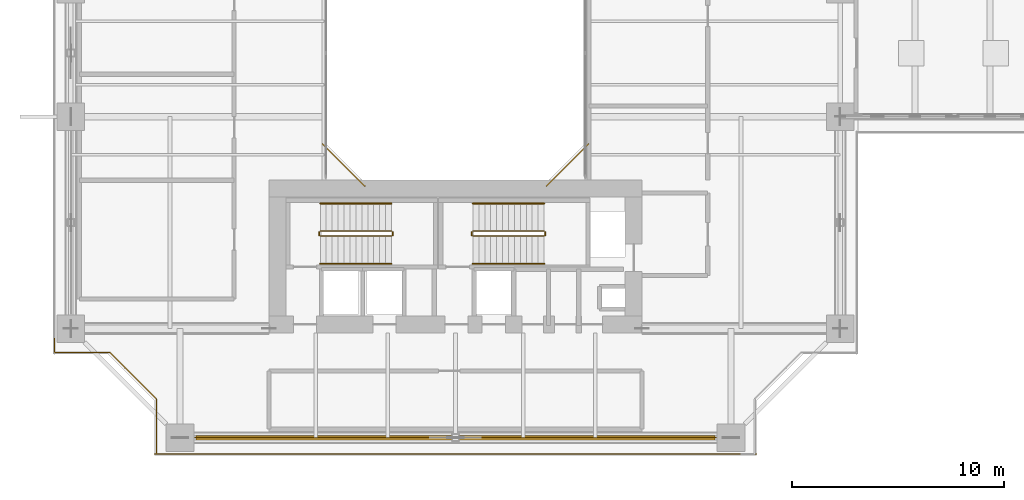
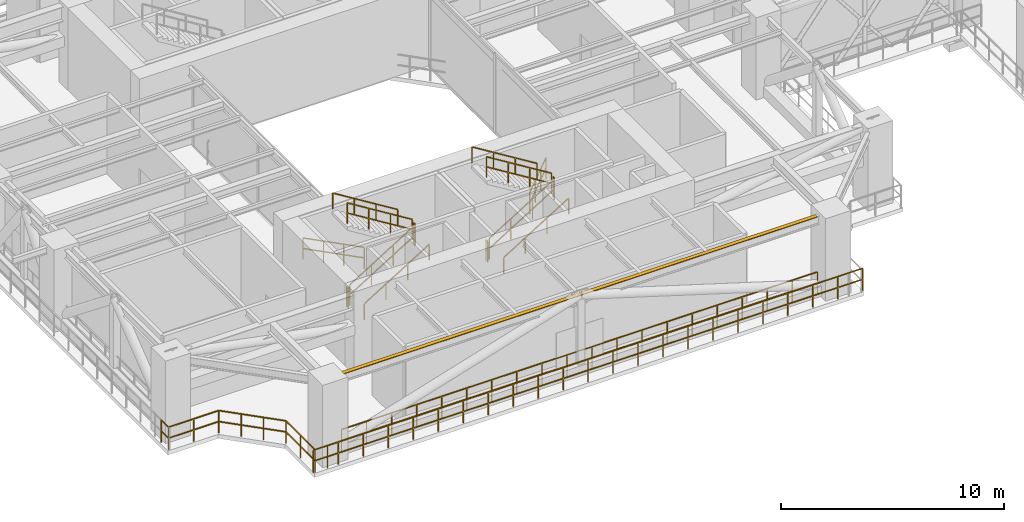
# One storey, part 21 of 26: 17 railings, 1 shading device.
"""IFC4 building model written with IfcOpenShell, lengths in metres."""

from ifc_helpers import new_model, si_unit, direction, frame, origin, origin_2d, place, context, subcontext, project, spatial, rectangle, extrude, source, transform, mapped, material, material_profile, profile_set, type_object, element, save


model = new_model("IFC4")

# Units and contexts
model_context = context("Model", 3, precision=1e-05, world=origin(), true_north=direction((0.0, 1.0)))
body_context = subcontext(model_context, "Body", "Model", "MODEL_VIEW")
ifc_project = project(units=[si_unit("LENGTHUNIT", "METRE"), si_unit("AREAUNIT", "SQUARE_METRE"), si_unit("VOLUMEUNIT", "CUBIC_METRE"), si_unit("PLANEANGLEUNIT", "RADIAN"), si_unit("MASSUNIT", "GRAM", prefix="KILO"), si_unit("THERMODYNAMICTEMPERATUREUNIT", "KELVIN"), si_unit("POWERUNIT", "WATT")], contexts=[model_context])

# Site, building, storey
site_placement = place(None, origin())
site = spatial("IfcSite", under=ifc_project, at=site_placement, CompositionType="ELEMENT")
building_placement = place(site_placement, origin())
building = spatial("IfcBuilding", under=site, at=building_placement, Name="Qiaomeng Ring Towers", CompositionType="ELEMENT")
storey_placement = place(building_placement, frame((0.0, 0.0, 45.75)))
storey = spatial("IfcBuildingStorey", under=building, at=storey_placement, Name="L12", CompositionType="ELEMENT", Elevation=45.75)

# Railings
ifc_material_1 = material(Name="Low-E pale-green laminated safety glass", Category="glass")
railing_type_1 = type_object("IfcRailingType", Name="ARC-RL-BAL1", PredefinedType="BALUSTRADE", material=ifc_material_1)
railing_1_placement = place(storey_placement, frame((23.280029296875, 16.719970703125, 0.0)))
element("IfcRailing", 1, at=railing_1_placement, inside=storey, type_object=railing_type_1, Name="L12 Balustrade ARC-BAL-WELL1-L12-1", PredefinedType="BALUSTRADE", context=body_context, shape_type="SweptSolid", body=[
    extrude(rectangle(XDim=0.048095703125, YDim=0.048095703125, at=origin_2d()), frame((0.0, 0.0, 1.17578125), z_axis=(0.707106781187, 0.707106781187, 0.0), x_axis=(-0.707106781187, 0.707106781187, 0.0)), (0.0, 0.0, 1.0), 2.828369140625),
    extrude(rectangle(XDim=0.048095703125, YDim=0.048095703125, at=origin_2d()), frame((0.0, 0.0, 0.60009765625), z_axis=(0.707106781187, 0.707106781187, 0.0), x_axis=(-0.707106781187, 0.707106781187, 0.0)), (0.0, 0.0, 1.0), 2.828369140625),
    extrude(rectangle(XDim=0.0419921875, YDim=0.0419921875, at=origin_2d()), origin(), (0.0, 0.0, 1.0), 1.15185546875),
    extrude(rectangle(XDim=0.0419921875, YDim=0.0419921875, at=origin_2d()), frame((0.666748046875, 0.666748046875, 0.0)), (0.0, 0.0, 1.0), 1.15185546875),
    extrude(rectangle(XDim=0.0419921875, YDim=0.0419921875, at=origin_2d()), frame((1.333251953125, 1.333251953125, 0.0)), (0.0, 0.0, 1.0), 1.15185546875),
    extrude(rectangle(XDim=0.0419921875, YDim=0.0419921875, at=origin_2d()), frame((2.0, 2.0, 0.0)), (0.0, 0.0, 1.0), 1.15185546875),
])
railing_2_placement = place(storey_placement, frame((12.719970703125, 18.719970703125, 0.0)))
element("IfcRailing", 2, at=railing_2_placement, inside=storey, type_object=railing_type_1, Name="L12 Balustrade ARC-BAL-WELL1-L12-4", PredefinedType="BALUSTRADE", context=body_context, shape_type="SweptSolid", body=[
    extrude(rectangle(XDim=0.048095703125, YDim=0.048095703125, at=origin_2d()), frame((0.0, 0.0, 1.17578125), z_axis=(0.707106781187, -0.707106781187, 0.0), x_axis=(0.707106781187, 0.707106781187, 0.0)), (0.0, 0.0, 1.0), 2.828369140625),
    extrude(rectangle(XDim=0.048095703125, YDim=0.048095703125, at=origin_2d()), frame((0.0, 0.0, 0.60009765625), z_axis=(0.707106781187, -0.707106781187, 0.0), x_axis=(0.707106781187, 0.707106781187, 0.0)), (0.0, 0.0, 1.0), 2.828369140625),
    extrude(rectangle(XDim=0.0419921875, YDim=0.0419921875, at=origin_2d()), origin(), (0.0, 0.0, 1.0), 1.15185546875),
    extrude(rectangle(XDim=0.0419921875, YDim=0.0419921875, at=origin_2d()), frame((0.666748046875, -0.666748046875, 0.0)), (0.0, 0.0, 1.0), 1.15185546875),
    extrude(rectangle(XDim=0.0419921875, YDim=0.0419921875, at=origin_2d()), frame((1.333251953125, -1.333251953125, 0.0)), (0.0, 0.0, 1.0), 1.15185546875),
    extrude(rectangle(XDim=0.0419921875, YDim=0.0419921875, at=origin_2d()), frame((2.0, -2.0, 0.0)), (0.0, 0.0, 1.0), 1.15185546875),
])
ifc_material_2 = material(Name="Stainless steel 316", Category="steel")
railing_type_2 = type_object("IfcRailingType", Name="ARC-RL-BAL2", PredefinedType="BALUSTRADE", material=ifc_material_2)
railing_3_placement = place(storey_placement, frame((6.699951171875, 4.85009765625, 0.0)))
element("IfcRailing", 3, at=railing_3_placement, inside=storey, type_object=railing_type_2, Name="L12 Open Refuge Band Perimeter Guard S", PredefinedType="BALUSTRADE", context=body_context, shape_type="SweptSolid", body=[
    extrude(rectangle(XDim=0.048095703125, YDim=0.048095703125, at=origin_2d()), frame((0.0, 0.0, 1.22607421875), z_axis=(1.0, 0.0, 0.0), x_axis=(0.0, 1.0, 0.0)), (0.0, 0.0, 1.0), 24.60009765625),
    extrude(rectangle(XDim=0.048095703125, YDim=0.048095703125, at=origin_2d()), frame((0.0, 0.0, 0.625), z_axis=(1.0, 0.0, 0.0), x_axis=(0.0, 1.0, 0.0)), (0.0, 0.0, 1.0), 24.60009765625),
    extrude(rectangle(XDim=0.0419921875, YDim=0.0419921875, at=origin_2d()), origin(), (0.0, 0.0, 1.0), 1.201904296875),
    extrude(rectangle(XDim=0.0419921875, YDim=0.0419921875, at=origin_2d()), frame((1.294677734375, 0.0, 0.0)), (0.0, 0.0, 1.0), 1.201904296875),
    extrude(rectangle(XDim=0.0419921875, YDim=0.0419921875, at=origin_2d()), frame((2.589599609375, 0.0, 0.0)), (0.0, 0.0, 1.0), 1.201904296875),
    extrude(rectangle(XDim=0.0419921875, YDim=0.0419921875, at=origin_2d()), frame((3.88427734375, 0.0, 0.0)), (0.0, 0.0, 1.0), 1.201904296875),
    extrude(rectangle(XDim=0.0419921875, YDim=0.0419921875, at=origin_2d()), frame((5.178955078125, 0.0, 0.0)), (0.0, 0.0, 1.0), 1.201904296875),
    extrude(rectangle(XDim=0.0419921875, YDim=0.0419921875, at=origin_2d()), frame((6.4736328125, 0.0, 0.0)), (0.0, 0.0, 1.0), 1.201904296875),
    extrude(rectangle(XDim=0.0419921875, YDim=0.0419921875, at=origin_2d()), frame((7.7685546875, 0.0, 0.0)), (0.0, 0.0, 1.0), 1.201904296875),
    extrude(rectangle(XDim=0.0419921875, YDim=0.0419921875, at=origin_2d()), frame((9.063232421875, 0.0, 0.0)), (0.0, 0.0, 1.0), 1.201904296875),
    extrude(rectangle(XDim=0.0419921875, YDim=0.0419921875, at=origin_2d()), frame((10.35791015625, 0.0, 0.0)), (0.0, 0.0, 1.0), 1.201904296875),
    extrude(rectangle(XDim=0.0419921875, YDim=0.0419921875, at=origin_2d()), frame((11.652587890625, 0.0, 0.0)), (0.0, 0.0, 1.0), 1.201904296875),
    extrude(rectangle(XDim=0.0419921875, YDim=0.0419921875, at=origin_2d()), frame((12.947509765625, 0.0, 0.0)), (0.0, 0.0, 1.0), 1.201904296875),
    extrude(rectangle(XDim=0.0419921875, YDim=0.0419921875, at=origin_2d()), frame((14.2421875, 0.0, 0.0)), (0.0, 0.0, 1.0), 1.201904296875),
    extrude(rectangle(XDim=0.0419921875, YDim=0.0419921875, at=origin_2d()), frame((15.536865234375, 0.0, 0.0)), (0.0, 0.0, 1.0), 1.201904296875),
    extrude(rectangle(XDim=0.0419921875, YDim=0.0419921875, at=origin_2d()), frame((16.83154296875, 0.0, 0.0)), (0.0, 0.0, 1.0), 1.201904296875),
    extrude(rectangle(XDim=0.0419921875, YDim=0.0419921875, at=origin_2d()), frame((18.12646484375, 0.0, 0.0)), (0.0, 0.0, 1.0), 1.201904296875),
    extrude(rectangle(XDim=0.0419921875, YDim=0.0419921875, at=origin_2d()), frame((19.421142578125, 0.0, 0.0)), (0.0, 0.0, 1.0), 1.201904296875),
    extrude(rectangle(XDim=0.0419921875, YDim=0.0419921875, at=origin_2d()), frame((20.7158203125, 0.0, 0.0)), (0.0, 0.0, 1.0), 1.201904296875),
    extrude(rectangle(XDim=0.0419921875, YDim=0.0419921875, at=origin_2d()), frame((22.010498046875, 0.0, 0.0)), (0.0, 0.0, 1.0), 1.201904296875),
    extrude(rectangle(XDim=0.0419921875, YDim=0.0419921875, at=origin_2d()), frame((23.305419921875, 0.0, 0.0)), (0.0, 0.0, 1.0), 1.201904296875),
    extrude(rectangle(XDim=0.0419921875, YDim=0.0419921875, at=origin_2d()), frame((24.60009765625, 0.0, 0.0)), (0.0, 0.0, 1.0), 1.201904296875),
])
railing_4_placement = place(storey_placement, frame((0.080078125, 9.530029296875, 0.0)))
element("IfcRailing", 4, at=railing_4_placement, inside=storey, type_object=railing_type_2, Name="L12 Balustrade ARC-BAL-REF-CNR-L12-SW", PredefinedType="BALUSTRADE", context=body_context, shape_type="SweptSolid", body=[
    extrude(rectangle(XDim=0.048095703125, YDim=0.048095703125, at=origin_2d()), frame((0.0, 0.0, 1.22607421875), z_axis=(0.0, -1.0, 0.0), x_axis=(1.0, 0.0, 0.0)), (0.0, 0.0, 1.0), 0.650146484375),
    extrude(rectangle(XDim=0.048095703125, YDim=0.048095703125, at=origin_2d()), frame((0.0, 0.0, 0.625), z_axis=(0.0, -1.0, 0.0), x_axis=(1.0, 0.0, 0.0)), (0.0, 0.0, 1.0), 0.650146484375),
    extrude(rectangle(XDim=0.048095703125, YDim=0.048095703125, at=origin_2d()), frame((0.0, -0.650146484375, 1.22607421875), z_axis=(1.0, 0.0, 0.0), x_axis=(0.0, 1.0, 0.0)), (0.0, 0.0, 1.0), 2.599853515625),
    extrude(rectangle(XDim=0.048095703125, YDim=0.048095703125, at=origin_2d()), frame((0.0, -0.650146484375, 0.625), z_axis=(1.0, 0.0, 0.0), x_axis=(0.0, 1.0, 0.0)), (0.0, 0.0, 1.0), 2.599853515625),
    extrude(rectangle(XDim=0.048095703125, YDim=0.048095703125, at=origin_2d()), frame((2.599853515625, -0.650146484375, 1.22607421875), z_axis=(0.707106781187, -0.707106781187, 0.0), x_axis=(0.707106781187, 0.707106781187, 0.0)), (0.0, 0.0, 1.0), 3.111083984375),
    extrude(rectangle(XDim=0.048095703125, YDim=0.048095703125, at=origin_2d()), frame((2.599853515625, -0.650146484375, 0.625), z_axis=(0.707106781187, -0.707106781187, 0.0), x_axis=(0.707106781187, 0.707106781187, 0.0)), (0.0, 0.0, 1.0), 3.111083984375),
    extrude(rectangle(XDim=0.048095703125, YDim=0.048095703125, at=origin_2d()), frame((4.7998046875, -2.85009765625, 1.22607421875), z_axis=(0.0, -1.0, 0.0), x_axis=(1.0, 0.0, 0.0)), (0.0, 0.0, 1.0), 2.599853515625),
    extrude(rectangle(XDim=0.048095703125, YDim=0.048095703125, at=origin_2d()), frame((4.7998046875, -2.85009765625, 0.625), z_axis=(0.0, -1.0, 0.0), x_axis=(1.0, 0.0, 0.0)), (0.0, 0.0, 1.0), 2.599853515625),
    extrude(rectangle(XDim=0.048095703125, YDim=0.048095703125, at=origin_2d()), frame((4.7998046875, -5.449951171875, 1.22607421875), z_axis=(1.0, 0.0, 0.0), x_axis=(0.0, 1.0, 0.0)), (0.0, 0.0, 1.0), 0.650146484375),
    extrude(rectangle(XDim=0.048095703125, YDim=0.048095703125, at=origin_2d()), frame((4.7998046875, -5.449951171875, 0.625), z_axis=(1.0, 0.0, 0.0), x_axis=(0.0, 1.0, 0.0)), (0.0, 0.0, 1.0), 0.650146484375),
    extrude(rectangle(XDim=0.0419921875, YDim=0.0419921875, at=origin_2d()), origin(), (0.0, 0.0, 1.0), 1.201904296875),
    extrude(rectangle(XDim=0.0419921875, YDim=0.0419921875, at=origin_2d()), frame((0.0, -0.650146484375, 0.0)), (0.0, 0.0, 1.0), 1.201904296875),
    extrude(rectangle(XDim=0.0419921875, YDim=0.0419921875, at=origin_2d()), frame((1.2998046875, -0.650146484375, 0.0)), (0.0, 0.0, 1.0), 1.201904296875),
    extrude(rectangle(XDim=0.0419921875, YDim=0.0419921875, at=origin_2d()), frame((2.599853515625, -0.650146484375, 0.0)), (0.0, 0.0, 1.0), 1.201904296875),
    extrude(rectangle(XDim=0.0419921875, YDim=0.0419921875, at=origin_2d()), frame((3.333251953125, -1.383544921875, 0.0)), (0.0, 0.0, 1.0), 1.201904296875),
    extrude(rectangle(XDim=0.0419921875, YDim=0.0419921875, at=origin_2d()), frame((4.06640625, -2.11669921875, 0.0)), (0.0, 0.0, 1.0), 1.201904296875),
    extrude(rectangle(XDim=0.0419921875, YDim=0.0419921875, at=origin_2d()), frame((4.7998046875, -2.85009765625, 0.0)), (0.0, 0.0, 1.0), 1.201904296875),
    extrude(rectangle(XDim=0.0419921875, YDim=0.0419921875, at=origin_2d()), frame((4.7998046875, -4.14990234375, 0.0)), (0.0, 0.0, 1.0), 1.201904296875),
    extrude(rectangle(XDim=0.0419921875, YDim=0.0419921875, at=origin_2d()), frame((4.7998046875, -5.449951171875, 0.0)), (0.0, 0.0, 1.0), 1.201904296875),
    extrude(rectangle(XDim=0.0419921875, YDim=0.0419921875, at=origin_2d()), frame((5.449951171875, -5.449951171875, 0.0)), (0.0, 0.0, 1.0), 1.201904296875),
])
railing_5_placement = place(storey_placement, frame((4.800048828125, 4.080078125, 0.0)))
element("IfcRailing", 5, at=railing_5_placement, inside=storey, type_object=railing_type_2, Name="L12 Balustrade ARC-BAL-REF-S-L12", PredefinedType="BALUSTRADE", context=body_context, shape_type="SweptSolid", body=[
    extrude(rectangle(XDim=0.048095703125, YDim=0.048095703125, at=origin_2d()), frame((0.0, 0.0, 1.22607421875), z_axis=(1.0, 0.0, 0.0), x_axis=(0.0, 1.0, 0.0)), (0.0, 0.0, 1.0), 28.39990234375),
    extrude(rectangle(XDim=0.048095703125, YDim=0.048095703125, at=origin_2d()), frame((0.0, 0.0, 0.625), z_axis=(1.0, 0.0, 0.0), x_axis=(0.0, 1.0, 0.0)), (0.0, 0.0, 1.0), 28.39990234375),
    extrude(rectangle(XDim=0.0419921875, YDim=0.0419921875, at=origin_2d()), origin(), (0.0, 0.0, 1.0), 1.201904296875),
    extrude(rectangle(XDim=0.0419921875, YDim=0.0419921875, at=origin_2d()), frame((1.291015625, 0.0, 0.0)), (0.0, 0.0, 1.0), 1.201904296875),
    extrude(rectangle(XDim=0.0419921875, YDim=0.0419921875, at=origin_2d()), frame((2.581787109375, 0.0, 0.0)), (0.0, 0.0, 1.0), 1.201904296875),
    extrude(rectangle(XDim=0.0419921875, YDim=0.0419921875, at=origin_2d()), frame((3.872802734375, 0.0, 0.0)), (0.0, 0.0, 1.0), 1.201904296875),
    extrude(rectangle(XDim=0.0419921875, YDim=0.0419921875, at=origin_2d()), frame((5.16357421875, 0.0, 0.0)), (0.0, 0.0, 1.0), 1.201904296875),
    extrude(rectangle(XDim=0.0419921875, YDim=0.0419921875, at=origin_2d()), frame((6.45458984375, 0.0, 0.0)), (0.0, 0.0, 1.0), 1.201904296875),
    extrude(rectangle(XDim=0.0419921875, YDim=0.0419921875, at=origin_2d()), frame((7.745361328125, 0.0, 0.0)), (0.0, 0.0, 1.0), 1.201904296875),
    extrude(rectangle(XDim=0.0419921875, YDim=0.0419921875, at=origin_2d()), frame((9.036376953125, 0.0, 0.0)), (0.0, 0.0, 1.0), 1.201904296875),
    extrude(rectangle(XDim=0.0419921875, YDim=0.0419921875, at=origin_2d()), frame((10.3271484375, 0.0, 0.0)), (0.0, 0.0, 1.0), 1.201904296875),
    extrude(rectangle(XDim=0.0419921875, YDim=0.0419921875, at=origin_2d()), frame((11.6181640625, 0.0, 0.0)), (0.0, 0.0, 1.0), 1.201904296875),
    extrude(rectangle(XDim=0.0419921875, YDim=0.0419921875, at=origin_2d()), frame((12.908935546875, 0.0, 0.0)), (0.0, 0.0, 1.0), 1.201904296875),
    extrude(rectangle(XDim=0.0419921875, YDim=0.0419921875, at=origin_2d()), frame((14.199951171875, 0.0, 0.0)), (0.0, 0.0, 1.0), 1.201904296875),
    extrude(rectangle(XDim=0.0419921875, YDim=0.0419921875, at=origin_2d()), frame((15.490966796875, 0.0, 0.0)), (0.0, 0.0, 1.0), 1.201904296875),
    extrude(rectangle(XDim=0.0419921875, YDim=0.0419921875, at=origin_2d()), frame((16.78173828125, 0.0, 0.0)), (0.0, 0.0, 1.0), 1.201904296875),
    extrude(rectangle(XDim=0.0419921875, YDim=0.0419921875, at=origin_2d()), frame((18.07275390625, 0.0, 0.0)), (0.0, 0.0, 1.0), 1.201904296875),
    extrude(rectangle(XDim=0.0419921875, YDim=0.0419921875, at=origin_2d()), frame((19.363525390625, 0.0, 0.0)), (0.0, 0.0, 1.0), 1.201904296875),
    extrude(rectangle(XDim=0.0419921875, YDim=0.0419921875, at=origin_2d()), frame((20.654541015625, 0.0, 0.0)), (0.0, 0.0, 1.0), 1.201904296875),
    extrude(rectangle(XDim=0.0419921875, YDim=0.0419921875, at=origin_2d()), frame((21.9453125, 0.0, 0.0)), (0.0, 0.0, 1.0), 1.201904296875),
    extrude(rectangle(XDim=0.0419921875, YDim=0.0419921875, at=origin_2d()), frame((23.236328125, 0.0, 0.0)), (0.0, 0.0, 1.0), 1.201904296875),
    extrude(rectangle(XDim=0.0419921875, YDim=0.0419921875, at=origin_2d()), frame((24.527099609375, 0.0, 0.0)), (0.0, 0.0, 1.0), 1.201904296875),
    extrude(rectangle(XDim=0.0419921875, YDim=0.0419921875, at=origin_2d()), frame((25.818115234375, 0.0, 0.0)), (0.0, 0.0, 1.0), 1.201904296875),
    extrude(rectangle(XDim=0.0419921875, YDim=0.0419921875, at=origin_2d()), frame((27.10888671875, 0.0, 0.0)), (0.0, 0.0, 1.0), 1.201904296875),
    extrude(rectangle(XDim=0.0419921875, YDim=0.0419921875, at=origin_2d()), frame((28.39990234375, 0.0, 0.0)), (0.0, 0.0, 1.0), 1.201904296875),
])
ifc_material_3 = material(Name="Galvanised steel", Category="steel")
railing_type_3 = type_object("IfcRailingType", Name="ARC-RL-GUARD", PredefinedType="GUARDRAIL", material=ifc_material_3)
railing_6_placement = place(storey_placement, frame((12.6201171875, 14.360107421875, 0.173095703125)))
element("IfcRailing", 6, at=railing_6_placement, inside=storey, type_object=railing_type_3, Name="L12 ST3 stair guard 1", PredefinedType="GUARDRAIL", context=body_context, shape_type="SweptSolid", body=[
    extrude(rectangle(XDim=0.048095703125, YDim=0.048095703125, at=origin_2d()), frame((0.0, 0.0, 1.1259765625), z_axis=(0.850606129759, 0.0, 0.525803396734), x_axis=(0.0, 1.0, 0.0)), (0.0, 0.0, 1.0), 3.949951171875),
    extrude(rectangle(XDim=0.048095703125, YDim=0.048095703125, at=origin_2d()), frame((0.0, 0.0, 0.574951171875), z_axis=(0.850606129759, 0.0, 0.525803396734), x_axis=(0.0, 1.0, 0.0)), (0.0, 0.0, 1.0), 3.949951171875),
    extrude(rectangle(XDim=0.0419921875, YDim=0.0419921875, at=origin_2d()), origin(), (0.0, 0.0, 1.0), 1.101806640625),
    extrude(rectangle(XDim=0.0419921875, YDim=0.0419921875, at=origin_2d()), frame((1.119873046875, 0.0, 0.6923828125)), (0.0, 0.0, 1.0), 1.101806640625),
    extrude(rectangle(XDim=0.0419921875, YDim=0.0419921875, at=origin_2d()), frame((2.239990234375, 0.0, 1.384521484375)), (0.0, 0.0, 1.0), 1.101806640625),
    extrude(rectangle(XDim=0.0419921875, YDim=0.0419921875, at=origin_2d()), frame((3.35986328125, 0.0, 2.076904296875)), (0.0, 0.0, 1.0), 1.101806640625),
])
railing_7_placement = place(storey_placement, frame((16.030029296875, 14.409912109375, 2.25)))
element("IfcRailing", 7, at=railing_7_placement, inside=storey, type_object=railing_type_3, Name="L12 ST3 stair guard 2", PredefinedType="GUARDRAIL", context=body_context, shape_type="SweptSolid", body=[
    extrude(rectangle(XDim=0.048095703125, YDim=0.048095703125, at=origin_2d()), frame((0.0, 0.0, 1.1259765625), z_axis=(0.0, 1.0, 0.0), x_axis=(-1.0, 0.0, 0.0)), (0.0, 0.0, 1.0), 0.14013671875),
    extrude(rectangle(XDim=0.048095703125, YDim=0.048095703125, at=origin_2d()), frame((0.0, 0.0, 0.574951171875), z_axis=(0.0, 1.0, 0.0), x_axis=(-1.0, 0.0, 0.0)), (0.0, 0.0, 1.0), 0.14013671875),
    extrude(rectangle(XDim=0.0419921875, YDim=0.0419921875, at=origin_2d()), origin(), (0.0, 0.0, 1.0), 1.101806640625),
    extrude(rectangle(XDim=0.0419921875, YDim=0.0419921875, at=origin_2d()), frame((0.0, 0.14013671875, 0.0)), (0.0, 0.0, 1.0), 1.101806640625),
])
railing_8_placement = place(storey_placement, frame((15.97998046875, 14.60009765625, 2.423095703125)))
element("IfcRailing", 8, at=railing_8_placement, inside=storey, type_object=railing_type_3, Name="L12 ST3 stair guard 3", PredefinedType="GUARDRAIL", context=body_context, shape_type="SweptSolid", body=[
    extrude(rectangle(XDim=0.048095703125, YDim=0.048095703125, at=origin_2d()), frame((0.0, 0.0, 1.1259765625), z_axis=(-0.850606129759, 0.0, 0.525803396734), x_axis=(0.0, -1.0, 0.0)), (0.0, 0.0, 1.0), 3.949951171875),
    extrude(rectangle(XDim=0.048095703125, YDim=0.048095703125, at=origin_2d()), frame((0.0, 0.0, 0.574951171875), z_axis=(-0.850606129759, 0.0, 0.525803396734), x_axis=(0.0, -1.0, 0.0)), (0.0, 0.0, 1.0), 3.949951171875),
    extrude(rectangle(XDim=0.0419921875, YDim=0.0419921875, at=origin_2d()), origin(), (0.0, 0.0, 1.0), 1.101806640625),
    extrude(rectangle(XDim=0.0419921875, YDim=0.0419921875, at=origin_2d()), frame((-1.119873046875, 0.0, 0.6923828125)), (0.0, 0.0, 1.0), 1.101806640625),
    extrude(rectangle(XDim=0.0419921875, YDim=0.0419921875, at=origin_2d()), frame((-2.239990234375, 0.0, 1.384521484375)), (0.0, 0.0, 1.0), 1.101806640625),
    extrude(rectangle(XDim=0.0419921875, YDim=0.0419921875, at=origin_2d()), frame((-3.35986328125, 0.0, 2.076904296875)), (0.0, 0.0, 1.0), 1.101806640625),
])
railing_9_placement = place(storey_placement, frame((12.570068359375, 14.409912109375, 0.0)))
element("IfcRailing", 9, at=railing_9_placement, inside=storey, type_object=railing_type_3, Name="L12 ST3 stair guard 4", PredefinedType="GUARDRAIL", context=body_context, shape_type="SweptSolid", body=[
    extrude(rectangle(XDim=0.048095703125, YDim=0.048095703125, at=origin_2d()), frame((0.0, 0.0, 1.1259765625), z_axis=(0.0, 1.0, 0.0), x_axis=(-1.0, 0.0, 0.0)), (0.0, 0.0, 1.0), 0.14013671875),
    extrude(rectangle(XDim=0.048095703125, YDim=0.048095703125, at=origin_2d()), frame((0.0, 0.0, 0.574951171875), z_axis=(0.0, 1.0, 0.0), x_axis=(-1.0, 0.0, 0.0)), (0.0, 0.0, 1.0), 0.14013671875),
    extrude(rectangle(XDim=0.0419921875, YDim=0.0419921875, at=origin_2d()), origin(), (0.0, 0.0, 1.0), 1.101806640625),
    extrude(rectangle(XDim=0.0419921875, YDim=0.0419921875, at=origin_2d()), frame((0.0, 0.14013671875, 0.0)), (0.0, 0.0, 1.0), 1.101806640625),
])
railing_10_placement = place(storey_placement, frame((19.820068359375, 14.360107421875, 0.173095703125)))
element("IfcRailing", 10, at=railing_10_placement, inside=storey, type_object=railing_type_3, Name="L12 ST4 stair guard 1", PredefinedType="GUARDRAIL", context=body_context, shape_type="SweptSolid", body=[
    extrude(rectangle(XDim=0.048095703125, YDim=0.048095703125, at=origin_2d()), frame((0.0, 0.0, 1.1259765625), z_axis=(0.850606129759, 0.0, 0.525803396734), x_axis=(0.0, 1.0, 0.0)), (0.0, 0.0, 1.0), 3.949951171875),
    extrude(rectangle(XDim=0.048095703125, YDim=0.048095703125, at=origin_2d()), frame((0.0, 0.0, 0.574951171875), z_axis=(0.850606129759, 0.0, 0.525803396734), x_axis=(0.0, 1.0, 0.0)), (0.0, 0.0, 1.0), 3.949951171875),
    extrude(rectangle(XDim=0.0419921875, YDim=0.0419921875, at=origin_2d()), origin(), (0.0, 0.0, 1.0), 1.101806640625),
    extrude(rectangle(XDim=0.0419921875, YDim=0.0419921875, at=origin_2d()), frame((1.119873046875, 0.0, 0.6923828125)), (0.0, 0.0, 1.0), 1.101806640625),
    extrude(rectangle(XDim=0.0419921875, YDim=0.0419921875, at=origin_2d()), frame((2.239990234375, 0.0, 1.384521484375)), (0.0, 0.0, 1.0), 1.101806640625),
    extrude(rectangle(XDim=0.0419921875, YDim=0.0419921875, at=origin_2d()), frame((3.35986328125, 0.0, 2.076904296875)), (0.0, 0.0, 1.0), 1.101806640625),
])
railing_11_placement = place(storey_placement, frame((23.22998046875, 14.409912109375, 2.25)))
element("IfcRailing", 11, at=railing_11_placement, inside=storey, type_object=railing_type_3, Name="L12 ST4 stair guard 2", PredefinedType="GUARDRAIL", context=body_context, shape_type="SweptSolid", body=[
    extrude(rectangle(XDim=0.048095703125, YDim=0.048095703125, at=origin_2d()), frame((0.0, 0.0, 1.1259765625), z_axis=(0.0, 1.0, 0.0), x_axis=(-1.0, 0.0, 0.0)), (0.0, 0.0, 1.0), 0.14013671875),
    extrude(rectangle(XDim=0.048095703125, YDim=0.048095703125, at=origin_2d()), frame((0.0, 0.0, 0.574951171875), z_axis=(0.0, 1.0, 0.0), x_axis=(-1.0, 0.0, 0.0)), (0.0, 0.0, 1.0), 0.14013671875),
    extrude(rectangle(XDim=0.0419921875, YDim=0.0419921875, at=origin_2d()), origin(), (0.0, 0.0, 1.0), 1.101806640625),
    extrude(rectangle(XDim=0.0419921875, YDim=0.0419921875, at=origin_2d()), frame((0.0, 0.14013671875, 0.0)), (0.0, 0.0, 1.0), 1.101806640625),
])
railing_12_placement = place(storey_placement, frame((23.179931640625, 14.60009765625, 2.423095703125)))
element("IfcRailing", 12, at=railing_12_placement, inside=storey, type_object=railing_type_3, Name="L12 ST4 stair guard 3", PredefinedType="GUARDRAIL", context=body_context, shape_type="SweptSolid", body=[
    extrude(rectangle(XDim=0.048095703125, YDim=0.048095703125, at=origin_2d()), frame((0.0, 0.0, 1.1259765625), z_axis=(-0.850606129759, 0.0, 0.525803396734), x_axis=(0.0, -1.0, 0.0)), (0.0, 0.0, 1.0), 3.949951171875),
    extrude(rectangle(XDim=0.048095703125, YDim=0.048095703125, at=origin_2d()), frame((0.0, 0.0, 0.574951171875), z_axis=(-0.850606129759, 0.0, 0.525803396734), x_axis=(0.0, -1.0, 0.0)), (0.0, 0.0, 1.0), 3.949951171875),
    extrude(rectangle(XDim=0.0419921875, YDim=0.0419921875, at=origin_2d()), origin(), (0.0, 0.0, 1.0), 1.101806640625),
    extrude(rectangle(XDim=0.0419921875, YDim=0.0419921875, at=origin_2d()), frame((-1.119873046875, 0.0, 0.6923828125)), (0.0, 0.0, 1.0), 1.101806640625),
    extrude(rectangle(XDim=0.0419921875, YDim=0.0419921875, at=origin_2d()), frame((-2.239990234375, 0.0, 1.384521484375)), (0.0, 0.0, 1.0), 1.101806640625),
    extrude(rectangle(XDim=0.0419921875, YDim=0.0419921875, at=origin_2d()), frame((-3.35986328125, 0.0, 2.076904296875)), (0.0, 0.0, 1.0), 1.101806640625),
])
railing_13_placement = place(storey_placement, frame((19.77001953125, 14.409912109375, 0.0)))
element("IfcRailing", 13, at=railing_13_placement, inside=storey, type_object=railing_type_3, Name="L12 ST4 stair guard 4", PredefinedType="GUARDRAIL", context=body_context, shape_type="SweptSolid", body=[
    extrude(rectangle(XDim=0.048095703125, YDim=0.048095703125, at=origin_2d()), frame((0.0, 0.0, 1.1259765625), z_axis=(0.0, 1.0, 0.0), x_axis=(-1.0, 0.0, 0.0)), (0.0, 0.0, 1.0), 0.14013671875),
    extrude(rectangle(XDim=0.048095703125, YDim=0.048095703125, at=origin_2d()), frame((0.0, 0.0, 0.574951171875), z_axis=(0.0, 1.0, 0.0), x_axis=(-1.0, 0.0, 0.0)), (0.0, 0.0, 1.0), 0.14013671875),
    extrude(rectangle(XDim=0.0419921875, YDim=0.0419921875, at=origin_2d()), origin(), (0.0, 0.0, 1.0), 1.101806640625),
    extrude(rectangle(XDim=0.0419921875, YDim=0.0419921875, at=origin_2d()), frame((0.0, 0.14013671875, 0.0)), (0.0, 0.0, 1.0), 1.101806640625),
])
railing_type_4 = type_object("IfcRailingType", Name="ARC-RL-HAND", PredefinedType="HANDRAIL", material=ifc_material_2)
railing_14_placement = place(storey_placement, frame((12.6201171875, 13.06005859375, 0.173095703125)))
element("IfcRailing", 14, at=railing_14_placement, inside=storey, type_object=railing_type_4, Name="L12 ST3 stair handrail 1", PredefinedType="HANDRAIL", context=body_context, shape_type="SweptSolid", body=[
    extrude(rectangle(XDim=0.048095703125, YDim=0.048095703125, at=origin_2d()), frame((0.0, 0.0, 0.8759765625), z_axis=(0.850606129759, 0.0, 0.525803396734), x_axis=(0.0, 1.0, 0.0)), (0.0, 0.0, 1.0), 3.949951171875),
    extrude(rectangle(XDim=0.0419921875, YDim=0.0419921875, at=origin_2d()), origin(), (0.0, 0.0, 1.0), 0.851806640625),
    extrude(rectangle(XDim=0.0419921875, YDim=0.0419921875, at=origin_2d()), frame((1.119873046875, 0.0, 0.6923828125)), (0.0, 0.0, 1.0), 0.851806640625),
    extrude(rectangle(XDim=0.0419921875, YDim=0.0419921875, at=origin_2d()), frame((2.239990234375, 0.0, 1.384521484375)), (0.0, 0.0, 1.0), 0.851806640625),
    extrude(rectangle(XDim=0.0419921875, YDim=0.0419921875, at=origin_2d()), frame((3.35986328125, 0.0, 2.076904296875)), (0.0, 0.0, 1.0), 0.851806640625),
])
railing_15_placement = place(storey_placement, frame((15.97998046875, 15.89990234375, 2.423095703125)))
element("IfcRailing", 15, at=railing_15_placement, inside=storey, type_object=railing_type_4, Name="L12 ST3 stair handrail 2", PredefinedType="HANDRAIL", context=body_context, shape_type="SweptSolid", body=[
    extrude(rectangle(XDim=0.048095703125, YDim=0.048095703125, at=origin_2d()), frame((0.0, 0.0, 0.8759765625), z_axis=(-0.850606129759, 0.0, 0.525803396734), x_axis=(0.0, -1.0, 0.0)), (0.0, 0.0, 1.0), 3.949951171875),
    extrude(rectangle(XDim=0.0419921875, YDim=0.0419921875, at=origin_2d()), origin(), (0.0, 0.0, 1.0), 0.851806640625),
    extrude(rectangle(XDim=0.0419921875, YDim=0.0419921875, at=origin_2d()), frame((-1.119873046875, 0.0, 0.6923828125)), (0.0, 0.0, 1.0), 0.851806640625),
    extrude(rectangle(XDim=0.0419921875, YDim=0.0419921875, at=origin_2d()), frame((-2.239990234375, 0.0, 1.384521484375)), (0.0, 0.0, 1.0), 0.851806640625),
    extrude(rectangle(XDim=0.0419921875, YDim=0.0419921875, at=origin_2d()), frame((-3.35986328125, 0.0, 2.076904296875)), (0.0, 0.0, 1.0), 0.851806640625),
])
railing_16_placement = place(storey_placement, frame((19.820068359375, 13.06005859375, 0.173095703125)))
element("IfcRailing", 16, at=railing_16_placement, inside=storey, type_object=railing_type_4, Name="L12 ST4 stair handrail 1", PredefinedType="HANDRAIL", context=body_context, shape_type="SweptSolid", body=[
    extrude(rectangle(XDim=0.048095703125, YDim=0.048095703125, at=origin_2d()), frame((0.0, 0.0, 0.8759765625), z_axis=(0.850606129759, 0.0, 0.525803396734), x_axis=(0.0, 1.0, 0.0)), (0.0, 0.0, 1.0), 3.949951171875),
    extrude(rectangle(XDim=0.0419921875, YDim=0.0419921875, at=origin_2d()), origin(), (0.0, 0.0, 1.0), 0.851806640625),
    extrude(rectangle(XDim=0.0419921875, YDim=0.0419921875, at=origin_2d()), frame((1.119873046875, 0.0, 0.6923828125)), (0.0, 0.0, 1.0), 0.851806640625),
    extrude(rectangle(XDim=0.0419921875, YDim=0.0419921875, at=origin_2d()), frame((2.239990234375, 0.0, 1.384521484375)), (0.0, 0.0, 1.0), 0.851806640625),
    extrude(rectangle(XDim=0.0419921875, YDim=0.0419921875, at=origin_2d()), frame((3.35986328125, 0.0, 2.076904296875)), (0.0, 0.0, 1.0), 0.851806640625),
])
railing_17_placement = place(storey_placement, frame((23.179931640625, 15.89990234375, 2.423095703125)))
element("IfcRailing", 17, at=railing_17_placement, inside=storey, type_object=railing_type_4, Name="L12 ST4 stair handrail 2", PredefinedType="HANDRAIL", context=body_context, shape_type="SweptSolid", body=[
    extrude(rectangle(XDim=0.048095703125, YDim=0.048095703125, at=origin_2d()), frame((0.0, 0.0, 0.8759765625), z_axis=(-0.850606129759, 0.0, 0.525803396734), x_axis=(0.0, -1.0, 0.0)), (0.0, 0.0, 1.0), 3.949951171875),
    extrude(rectangle(XDim=0.0419921875, YDim=0.0419921875, at=origin_2d()), origin(), (0.0, 0.0, 1.0), 0.851806640625),
    extrude(rectangle(XDim=0.0419921875, YDim=0.0419921875, at=origin_2d()), frame((-1.119873046875, 0.0, 0.6923828125)), (0.0, 0.0, 1.0), 0.851806640625),
    extrude(rectangle(XDim=0.0419921875, YDim=0.0419921875, at=origin_2d()), frame((-2.239990234375, 0.0, 1.384521484375)), (0.0, 0.0, 1.0), 0.851806640625),
    extrude(rectangle(XDim=0.0419921875, YDim=0.0419921875, at=origin_2d()), frame((-3.35986328125, 0.0, 2.076904296875)), (0.0, 0.0, 1.0), 0.851806640625),
])

# Shading device
ifc_material_profile = material_profile(ifc_material_2, rectangle(XDim=0.199951171875, YDim=0.0400390625, at=origin_2d()), Name="LV BLADE 200x40")
ifc_profile_set = profile_set([ifc_material_profile], Name="Stainless steel 316")
shading_device_type = type_object("IfcShadingDeviceType", Name="ARC-SHD-LOUVRE", PredefinedType="JALOUSIE", material=ifc_profile_set)
shared_shape = source(origin(), body_context, "Body", "SweptSolid", [
    extrude(rectangle(XDim=0.199951171875, YDim=0.0400390625, at=origin_2d()), origin(), (0.0, 0.0, 1.0), 24.5),
])
shading_device_placement = place(storey_placement, frame((6.75, 4.85009765625, 4.300048828125), z_axis=(1.0, 0.0, 0.0), x_axis=(0.0, 1.0, 0.0)))
element("IfcShadingDevice", 18, at=shading_device_placement, inside=storey, type_object=shading_device_type, Name="L12 Stainless Acoustic Intake Louvre S", PredefinedType="JALOUSIE", context=body_context, shape_type="MappedRepresentation", body=[
    mapped(shared_shape, transform((0.0, 0.0, 0.0), x_axis=(1.0, 0.0, 0.0), y_axis=(0.0, 1.0, 0.0), z_axis=(0.0, 0.0, 1.0), scale=1.0)),
])

save(model, "model.ifc")
